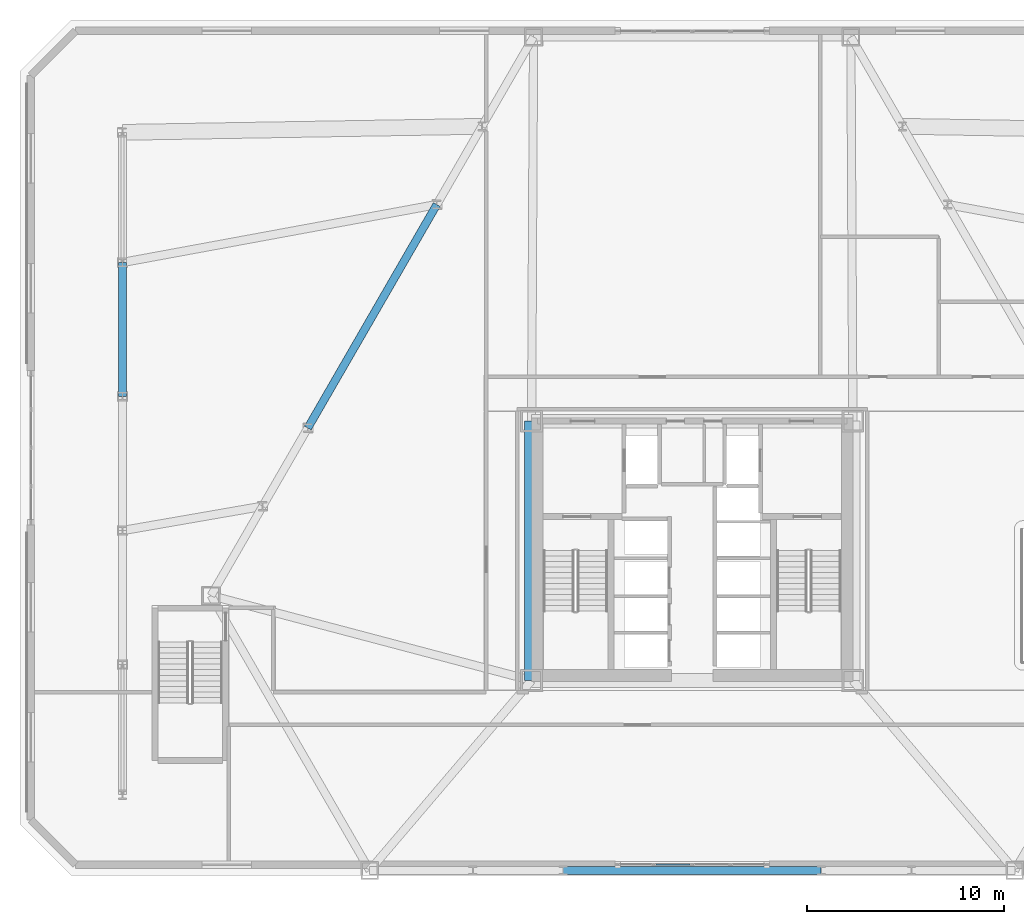
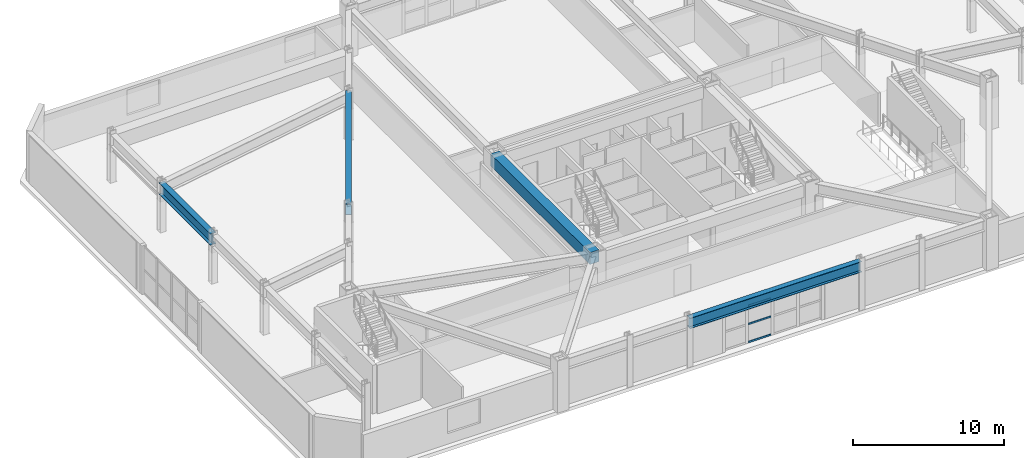
# One storey, part 5 of 22: 4 beams, 3 members, 1 element without a shape of its own.
"""IFC4 building model written with IfcOpenShell, lengths in metres."""

import ifcopenshell
import ifcopenshell.guid

model = None  # the IFC model being written
_history = None  # IfcOwnerHistory: only IFC2X3 demands one
_inside = {}  # id of a spatial element -> (the spatial element, [elements in it])
_under = {}  # id of a project, library or spatial element -> (it, [spatial elements below it])
_declared = {}  # id of a project -> (the project, [libraries it declares])
_typed = {}  # id of a type object -> (the type object, [elements of that type])
_made_of = {}  # id of a material, layer set ... -> (it, [elements and type objects made of it])


def new_model(schema):
    """Start an empty IFC model of exactly this schema.

    Asked for "IFC4X3", IfcOpenShell would pick the latest addendum, in which some entities
    have other attributes; the version numbers below select the first issue.
    IFC2X3 requires an IfcOwnerHistory on every rooted entity: one is made here for all.
    """
    global model, _history
    if schema == "IFC4X3":
        model = ifcopenshell.file(schema_version=(4, 3, 0, 0))
    else:
        model = ifcopenshell.file(schema=schema)
    _inside.clear()
    _under.clear()
    _declared.clear()
    _typed.clear()
    _made_of.clear()
    _history = None
    if model.schema == "IFC2X3":
        org = make("IfcOrganization", Name="unknown")
        user = make(
            "IfcPersonAndOrganization",
            ThePerson=make("IfcPerson", FamilyName="unknown"),
            TheOrganization=org,
        )
        app = make(
            "IfcApplication",
            ApplicationDeveloper=org,
            Version="unknown",
            ApplicationFullName="unknown",
            ApplicationIdentifier="unknown",
        )
        _history = make(
            "IfcOwnerHistory",
            OwningUser=user,
            OwningApplication=app,
            ChangeAction="ADDED",
            CreationDate=0,
        )
    return model


def make(cls, **values):
    """One entity of the class cls with the attributes given. An attribute that is None is left unset."""
    return model.create_entity(
        cls, **{name: value for name, value in values.items() if value is not None}
    )


def rooted(cls, **values):
    """An entity with a GlobalId (a new one), such as an element, a storey or a relation."""
    return make(cls, GlobalId=ifcopenshell.guid.new(), OwnerHistory=_history, **values)


def si_unit(unit_type, name, prefix=None):
    """IfcSIUnit, for example si_unit("LENGTHUNIT", "METRE", prefix="MILLI")."""
    return make("IfcSIUnit", UnitType=unit_type, Prefix=prefix, Name=name)


def assignment(units):
    """IfcUnitAssignment: the units of a project."""
    return None if units is None else make("IfcUnitAssignment", Units=units)


def point(xyz):
    """IfcCartesianPoint."""
    return None if xyz is None else make("IfcCartesianPoint", Coordinates=xyz)


def direction(xyz):
    """IfcDirection."""
    return None if xyz is None else make("IfcDirection", DirectionRatios=xyz)


def frame(location, z_axis=None, x_axis=None):
    """IfcAxis2Placement3D, a coordinate frame: its origin and axes. An axis left out is left unset."""
    return make(
        "IfcAxis2Placement3D",
        Location=point(location),
        Axis=direction(z_axis),
        RefDirection=direction(x_axis),
    )


def frame_2d(location, x_axis=None):
    """IfcAxis2Placement2D, a coordinate frame in the plane: its origin and x axis."""
    return make(
        "IfcAxis2Placement2D", Location=point(location), RefDirection=direction(x_axis)
    )


def origin():
    """The frame at (0, 0, 0) with its axes left unset."""
    return frame((0.0, 0.0, 0.0))


def origin_2d():
    """The frame at (0, 0) in the plane with its x axis left unset."""
    return frame_2d((0.0, 0.0))


def place(relative_to, where):
    """IfcLocalPlacement: puts the frame where relative to a parent placement (None: the world)."""
    return make(
        "IfcLocalPlacement", PlacementRelTo=relative_to, RelativePlacement=where
    )


def context(
    kind, dimensions, precision=None, world=None, true_north=None, identifier=None
):
    """IfcGeometricRepresentationContext, for example the 3D "Model" context."""
    return make(
        "IfcGeometricRepresentationContext",
        ContextIdentifier=identifier,
        ContextType=kind,
        CoordinateSpaceDimension=dimensions,
        Precision=precision,
        WorldCoordinateSystem=world,
        TrueNorth=true_north,
    )


def subcontext(parent, identifier, kind, view, scale=None):
    """IfcGeometricRepresentationSubContext, for example "Body" below "Model"."""
    return make(
        "IfcGeometricRepresentationSubContext",
        ContextIdentifier=identifier,
        ContextType=kind,
        ParentContext=parent,
        TargetScale=scale,
        TargetView=view,
    )


def project(units=None, contexts=None):
    """IfcProject with its units and contexts."""
    return rooted(
        "IfcProject",
        Name="project",
        RepresentationContexts=contexts,
        UnitsInContext=assignment(units),
    )


def spatial(cls, under=None, at=None, **own):
    """A site, building, storey or space (cls), placed at a placement, below another one or the project."""
    s = rooted(cls, ObjectPlacement=at, **own)
    if under is not None:
        _under.setdefault(under.id(), (under, []))[1].append(s)
    return s


def profile(cls, at=None, kind="AREA", **sizes):
    """A parametric profile (cls). Its sizes go by their IFC names, for example OverallWidth=200.0."""
    return make(cls, ProfileType=kind, Position=at, **sizes)


def rectangle(**sizes):
    """IfcRectangleProfileDef."""
    return profile("IfcRectangleProfileDef", **sizes)


def hollow_rectangle(**sizes):
    """IfcRectangleHollowProfileDef."""
    return profile("IfcRectangleHollowProfileDef", **sizes)


def i_section(**sizes):
    """IfcIShapeProfileDef."""
    return profile("IfcIShapeProfileDef", **sizes)


def extrude(swept, where, along, depth):
    """IfcExtrudedAreaSolid: the profile swept, set in the frame where, extruded along a direction by depth."""
    return make(
        "IfcExtrudedAreaSolid",
        SweptArea=swept,
        Position=where,
        ExtrudedDirection=direction(along),
        Depth=depth,
    )


def shape(context_of_items, identifier, shape_type, items):
    """IfcShapeRepresentation: the items that make up one representation, for example the "Body"."""
    return make(
        "IfcShapeRepresentation",
        ContextOfItems=context_of_items,
        RepresentationIdentifier=identifier,
        RepresentationType=shape_type,
        Items=items,
    )


def material(Name=None, Category=None):
    """IfcMaterial."""
    return make("IfcMaterial", Name=Name, Category=Category)


def layer(
    of_material, thickness, ventilated=None, Name=None, Category=None, Priority=None
):
    """IfcMaterialLayer: one layer of a wall or slab, of a material (None: an air gap)."""
    return make(
        "IfcMaterialLayer",
        Material=of_material,
        LayerThickness=thickness,
        IsVentilated=ventilated,
        Name=Name,
        Category=Category,
        Priority=Priority,
    )


def layer_set(layers, Name=None):
    """IfcMaterialLayerSet."""
    return make("IfcMaterialLayerSet", MaterialLayers=layers, LayerSetName=Name)


def material_profile(
    of_material, cross_section, Name=None, Category=None, Priority=None
):
    """IfcMaterialProfile: a cross section and its material."""
    return make(
        "IfcMaterialProfile",
        Name=Name,
        Material=of_material,
        Profile=cross_section,
        Priority=Priority,
        Category=Category,
    )


def profile_set(profiles, Name=None, composite=None):
    """IfcMaterialProfileSet."""
    return make(
        "IfcMaterialProfileSet",
        Name=Name,
        MaterialProfiles=profiles,
        CompositeProfile=composite,
    )


def made_of(thing, what):
    """Note that an element or type object is made of a material, layer set ...; save() writes the relation."""
    if what is not None:
        _made_of.setdefault(what.id(), (what, []))[1].append(thing)
    return thing


def type_object(cls, material=None, **own):
    """A type object (cls), such as IfcWallType, which elements share."""
    return made_of(rooted(cls, **own), material)


def element(
    cls,
    number,
    at=None,
    inside=None,
    cuts=None,
    type_object=None,
    material=None,
    context=None,
    identifier="Body",
    shape_type=None,
    held_by="IfcProductDefinitionShape",
    body=None,
    shapes=None,
    **own,
):
    """One element of the class cls, such as IfcWall. Its Tag is "e" and its number.

    at: its placement. inside: the storey or other place that contains it. cuts: it is an
    opening in that element (IfcRelVoidsElement). A single representation is given by context,
    identifier, shape_type and body (its items); several are given by shapes. held_by: the class
    of the entity that holds the representations. save() writes the other relations.
    """
    e = rooted(cls, Tag="e%d" % number, ObjectPlacement=at, **own)
    if body is not None:
        shapes = [shape(context, identifier, shape_type, body)]
    if shapes is not None:
        e.Representation = make(held_by, Representations=shapes)
    if inside is not None:
        _inside.setdefault(inside.id(), (inside, []))[1].append(e)
    if cuts is not None:
        rooted(
            "IfcRelVoidsElement", RelatingBuildingElement=cuts, RelatedOpeningElement=e
        )
    if type_object is not None:
        _typed.setdefault(type_object.id(), (type_object, []))[1].append(e)
    return made_of(e, material)


def aggregate(whole, parts):
    """IfcRelAggregates: a whole, such as a stair, and the parts it consists of."""
    return rooted("IfcRelAggregates", RelatingObject=whole, RelatedObjects=parts)


def save(model, path):
    """Write the relations noted so far, then the file.

    IfcRelAggregates (storeys below a building ...), IfcRelContainedInSpatialStructure (elements
    in a storey), IfcRelDefinesByType, IfcRelAssociatesMaterial and IfcRelDeclares: one each for
    every whole, place, type object, material and project.
    """
    for whole, parts in _under.values():
        aggregate(whole, parts)
    for where, things in _inside.values():
        rooted(
            "IfcRelContainedInSpatialStructure",
            RelatedElements=things,
            RelatingStructure=where,
        )
    for kind, things in _typed.values():
        rooted("IfcRelDefinesByType", RelatedObjects=things, RelatingType=kind)
    for what, things in _made_of.values():
        rooted("IfcRelAssociatesMaterial", RelatedObjects=things, RelatingMaterial=what)
    for by, libraries in _declared.values():
        rooted("IfcRelDeclares", RelatingContext=by, RelatedDefinitions=libraries)
    model.write(path)


model = new_model("IFC4")

# Units and contexts
model_context = context("Model", 3, precision=1e-05, world=origin(), true_north=direction((0.0, 1.0)))
body_context = subcontext(model_context, "Body", "Model", "MODEL_VIEW")
ifc_project = project(units=[si_unit("LENGTHUNIT", "METRE"), si_unit("AREAUNIT", "SQUARE_METRE"), si_unit("VOLUMEUNIT", "CUBIC_METRE"), si_unit("PLANEANGLEUNIT", "RADIAN"), si_unit("MASSUNIT", "GRAM", prefix="KILO")], contexts=[model_context])

# Site, building, storey
site_placement = place(None, origin())
site = spatial("IfcSite", under=ifc_project, at=site_placement, CompositionType="ELEMENT")
building_placement = place(site_placement, origin())
building = spatial("IfcBuilding", under=site, at=building_placement, Name="Oramaril Tower", CompositionType="ELEMENT")
storey_placement = place(building_placement, frame((0.0, 0.0, 14.10009765625)))
storey = spatial("IfcBuildingStorey", under=building, at=storey_placement, Name="L03", CompositionType="ELEMENT", Elevation=14.10009765625)

# Beams
ifc_material_1 = material(Name="Concrete C50/60", Category="concrete")
ifc_material_profile_1 = material_profile(ifc_material_1, rectangle(XDim=0.699951171875, YDim=0.949951171875, at=origin_2d()), Name="CB700X950")
ifc_profile_set_1 = profile_set([ifc_material_profile_1], Name="Concrete C50/60")
beam_type_1 = type_object("IfcBeamType", Name="BT-CB1", PredefinedType="BEAM", material=ifc_profile_set_1)
beam_1_placement = place(storey_placement, frame((29.35009765625, 24.14990234375, 3.44482421875), z_axis=(0.0, -1.0, 0.0), x_axis=(1.0, 0.0, 0.0)))
element("IfcBeam", 1, at=beam_1_placement, inside=storey, type_object=beam_type_1, Name="L03 Core Header Beam CB-4", PredefinedType="BEAM", context=body_context, shape_type="SweptSolid", body=[
    extrude(rectangle(XDim=0.699951171875, YDim=0.949951171875, at=origin_2d()), origin(), (0.0, 0.0, 1.0), 13.14990234375),
])
ifc_material_2 = material(Name="Steel ASTM A572 Gr 50", Category="steel")
ifc_material_profile_2 = material_profile(ifc_material_2, i_section(OverallWidth=0.4189453125, OverallDepth=0.927001953125, WebThickness=0.019287109375, FlangeThickness=0.031982421875, at=origin_2d()), Name="W36X231")
ifc_profile_set_2 = profile_set([ifc_material_profile_2], Name="Steel ASTM A572 Gr 50")
beam_type_2 = type_object("IfcBeamType", Name="BT-PG2", PredefinedType="BEAM", material=ifc_profile_set_2)
beam_2_placement = place(storey_placement, frame((8.60009765625, 25.39990234375, 3.456298828125), z_axis=(0.0, 1.0, 0.0), x_axis=(-1.0, 0.0, 0.0)))
element("IfcBeam", 2, at=beam_2_placement, inside=storey, type_object=beam_type_2, Name="L03 Podium Perimeter Girder 04", PredefinedType="BEAM", context=body_context, shape_type="SweptSolid", body=[
    extrude(i_section(OverallWidth=0.4189453125, OverallDepth=0.927001953125, WebThickness=0.019287109375, FlangeThickness=0.031982421875, at=origin_2d()), origin(), (0.0, 0.0, 1.0), 6.800048828125),
])
ifc_material_3 = material(Name="Steel ASTM A572 Gr 50", Category="steel")
ifc_material_profile_3 = material_profile(ifc_material_3, i_section(OverallWidth=0.40087890625, OverallDepth=0.85595703125, WebThickness=0.018310546875, FlangeThickness=0.029296875, at=origin_2d()), Name="W33X201")
ifc_profile_set_3 = profile_set([ifc_material_profile_3], Name="Steel ASTM A572 Gr 50")
beam_type_3 = type_object("IfcBeamType", Name="BT-SP1", PredefinedType="SPANDREL", material=ifc_profile_set_3)
beam_3_placement = place(storey_placement, frame((30.955078125, 1.360107421875, 3.491943359375), z_axis=(1.0, 0.0, 0.0), x_axis=(0.0, 1.0, 0.0)))
element("IfcBeam", 3, at=beam_3_placement, inside=storey, type_object=beam_type_3, Name="L03 Perimeter Spandrel 04", PredefinedType="SPANDREL", context=body_context, shape_type="SweptSolid", body=[
    extrude(i_section(OverallWidth=0.40087890625, OverallDepth=0.85595703125, WebThickness=0.018310546875, FlangeThickness=0.029296875, at=origin_2d()), origin(), (0.0, 0.0, 1.0), 13.08984375),
])
beam_4_placement = place(storey_placement, frame((24.543212890625, 35.137939453125, 3.491943359375), z_axis=(-0.50000660679, -0.866021589319, 0.0), x_axis=(0.866021589319, -0.50000660679, 0.0)))
element("IfcBeam", 4, at=beam_4_placement, inside=storey, type_object=beam_type_3, Name="L03 Perimeter Spandrel 16", PredefinedType="SPANDREL", context=body_context, shape_type="SweptSolid", body=[
    extrude(i_section(OverallWidth=0.40087890625, OverallDepth=0.85595703125, WebThickness=0.018310546875, FlangeThickness=0.029296875, at=origin_2d()), origin(), (0.0, 0.0, 1.0), 13.089599609375),
])

# Curtain wall, members
ifc_material_4 = material(Name="Anodised Aluminium 6063-T6", Category="aluminium")
ifc_layer = layer(ifc_material_4, 0.219970703125)
ifc_layer_set = layer_set([ifc_layer], Name="CWT-SYS2")
curtain_wall_type = type_object("IfcCurtainWallType", Name="CWT-SYS2", PredefinedType="NOTDEFINED", material=ifc_layer_set)
curtain_wall_placement = place(storey_placement, origin())
curtain_wall = element("IfcCurtainWall", 5, at=curtain_wall_placement, inside=storey, type_object=curtain_wall_type, Name="L03 Unitised Curtain Wall CW-2", PredefinedType="NOTDEFINED")
ifc_material_5 = material(Name="Anodised Aluminium 6063-T6", Category="aluminium")
ifc_material_profile_4 = material_profile(ifc_material_5, hollow_rectangle(XDim=0.06494140625, YDim=0.139892578125, WallThickness=0.00390625, at=origin_2d()), Name="CWT140X65")
ifc_profile_set_4 = profile_set([ifc_material_profile_4], Name="Anodised Aluminium 6063-T6")
member_type = type_object("IfcMemberType", Name="MT-CWT2", PredefinedType="USERDEFINED", material=ifc_profile_set_4)
member_1_placement = place(storey_placement, frame((35.659912109375, 1.64990234375, 0.06982421875), z_axis=(1.0, 0.0, 0.0), x_axis=(0.0, 1.0, 0.0)))
member_1 = element("IfcMember", 6, at=member_1_placement, type_object=member_type, Name="CW-2 transom 2.1", ObjectType="TRANSOM", PredefinedType="USERDEFINED", context=body_context, shape_type="SweptSolid", body=[
    extrude(hollow_rectangle(XDim=0.06494140625, YDim=0.139892578125, WallThickness=0.00390625, at=origin_2d()), origin(), (0.0, 0.0, 1.0), 1.72998046875),
])
member_2_placement = place(storey_placement, frame((35.659912109375, 1.64990234375, 1.52685546875), z_axis=(1.0, 0.0, 0.0), x_axis=(0.0, 1.0, 0.0)))
member_2 = element("IfcMember", 7, at=member_2_placement, type_object=member_type, Name="CW-2 transom 2.2", ObjectType="TRANSOM", PredefinedType="USERDEFINED", context=body_context, shape_type="SweptSolid", body=[
    extrude(hollow_rectangle(XDim=0.06494140625, YDim=0.139892578125, WallThickness=0.00390625, at=origin_2d()), origin(), (0.0, 0.0, 1.0), 1.72998046875),
])
member_3_placement = place(storey_placement, frame((35.659912109375, 1.64990234375, 2.98388671875), z_axis=(1.0, 0.0, 0.0), x_axis=(0.0, 1.0, 0.0)))
member_3 = element("IfcMember", 8, at=member_3_placement, type_object=member_type, Name="CW-2 transom 2.3", ObjectType="TRANSOM", PredefinedType="USERDEFINED", context=body_context, shape_type="SweptSolid", body=[
    extrude(hollow_rectangle(XDim=0.06494140625, YDim=0.139892578125, WallThickness=0.00390625, at=origin_2d()), origin(), (0.0, 0.0, 1.0), 1.72998046875),
])
aggregate(curtain_wall, [member_1, member_2, member_3])

save(model, "model.ifc")
